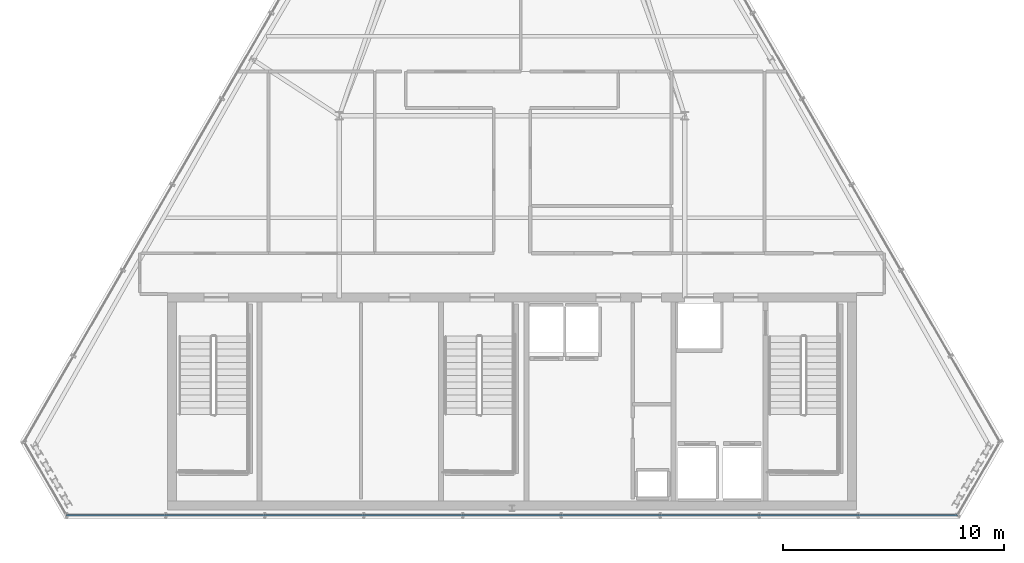
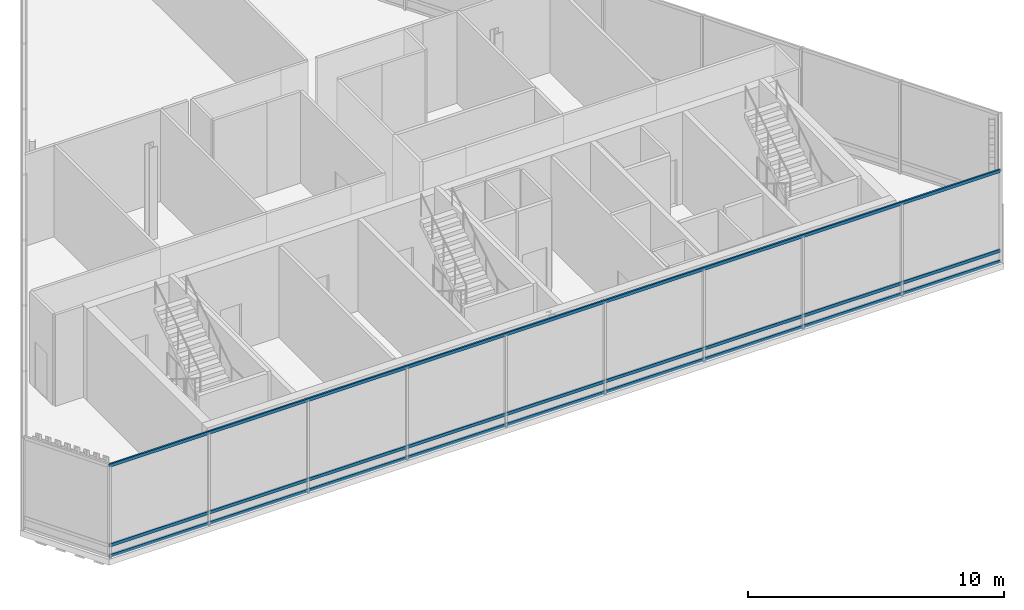
# One storey, part 6 of 25: 3 members, 1 element without a shape of its own.
"""IFC4 building model written with IfcOpenShell, lengths in metres."""

from ifc_helpers import new_model, si_unit, direction, frame, origin, origin_2d, place, context, subcontext, project, spatial, hollow_rectangle, extrude, material, layer, layer_set, material_profile, profile_set, type_object, element, aggregate, save


model = new_model("IFC4")

# Units and contexts
model_context = context("Model", 3, precision=1e-05, world=origin(), true_north=direction((0.0, 1.0)))
body_context = subcontext(model_context, "Body", "Model", "MODEL_VIEW")
ifc_project = project(units=[si_unit("LENGTHUNIT", "METRE"), si_unit("AREAUNIT", "SQUARE_METRE"), si_unit("VOLUMEUNIT", "CUBIC_METRE"), si_unit("PLANEANGLEUNIT", "RADIAN"), si_unit("MASSUNIT", "GRAM", prefix="KILO")], contexts=[model_context])

# Site, building, storey
site_placement = place(None, origin())
site = spatial("IfcSite", under=ifc_project, at=site_placement, CompositionType="ELEMENT")
building_placement = place(site_placement, origin())
building = spatial("IfcBuilding", under=site, at=building_placement, Name="Ndaravel Arena Tower", CompositionType="ELEMENT")
storey_placement = place(building_placement, frame((0.0, 0.0, 303.300048828125)))
storey = spatial("IfcBuildingStorey", under=building, at=storey_placement, Name="L74", CompositionType="ELEMENT", Elevation=303.300048828125)

# Curtain wall, members
ifc_material_1 = material(Name="Aluminium", Category="aluminium")
ifc_layer = layer(ifc_material_1, 0.179931640625)
ifc_layer_set = layer_set([ifc_layer], Name="Aluminium")
curtain_wall_type = type_object("IfcCurtainWallType", Name="CW-SYS-04", PredefinedType="NOTDEFINED", material=ifc_layer_set)
curtain_wall_placement = place(storey_placement, origin())
curtain_wall = element("IfcCurtainWall", 1, at=curtain_wall_placement, inside=storey, type_object=curtain_wall_type, Name="L74 Faceted Crystal Curtain Wall CW-L74-E01", PredefinedType="NOTDEFINED")
ifc_material_2 = material(Name="Aluminium", Category="aluminium")
ifc_material_profile = material_profile(ifc_material_2, hollow_rectangle(XDim=0.074951171875, YDim=0.14990234375, WallThickness=0.00390625, at=origin_2d()), Name="CW TRANSOM 75x150x4")
ifc_profile_set = profile_set([ifc_material_profile], Name="Aluminium")
member_type = type_object("IfcMemberType", Name="MEM-CW-TRN150", PredefinedType="USERDEFINED", material=ifc_profile_set)
member_1_placement = place(storey_placement, frame((21.885009765625, 5.159912109375, 0.0400390625), z_axis=(1.0, 0.0, 0.0), x_axis=(0.0, 1.0, 0.0)))
member_1 = element("IfcMember", 2, at=member_1_placement, type_object=member_type, Name="CW-L74-E01 Transom 01", ObjectType="TRANSOM", PredefinedType="USERDEFINED", context=body_context, shape_type="SweptSolid", body=[
    extrude(hollow_rectangle(XDim=0.074951171875, YDim=0.14990234375, WallThickness=0.00390625, at=origin_2d()), origin(), (0.0, 0.0, 1.0), 40.22998046875),
])
member_2_placement = place(storey_placement, frame((21.885009765625, 5.159912109375, 0.550048828125), z_axis=(1.0, 0.0, 0.0), x_axis=(0.0, 1.0, 0.0)))
member_2 = element("IfcMember", 3, at=member_2_placement, type_object=member_type, Name="CW-L74-E01 Transom 02", ObjectType="TRANSOM", PredefinedType="USERDEFINED", context=body_context, shape_type="SweptSolid", body=[
    extrude(hollow_rectangle(XDim=0.074951171875, YDim=0.14990234375, WallThickness=0.00390625, at=origin_2d()), origin(), (0.0, 0.0, 1.0), 40.22998046875),
])
member_3_placement = place(storey_placement, frame((21.885009765625, 5.159912109375, 4.35986328125), z_axis=(1.0, 0.0, 0.0), x_axis=(0.0, 1.0, 0.0)))
member_3 = element("IfcMember", 4, at=member_3_placement, type_object=member_type, Name="CW-L74-E01 Transom 03", ObjectType="TRANSOM", PredefinedType="USERDEFINED", context=body_context, shape_type="SweptSolid", body=[
    extrude(hollow_rectangle(XDim=0.074951171875, YDim=0.14990234375, WallThickness=0.00390625, at=origin_2d()), origin(), (0.0, 0.0, 1.0), 40.22998046875),
])
aggregate(curtain_wall, [member_1, member_2, member_3])

save(model, "model.ifc")
